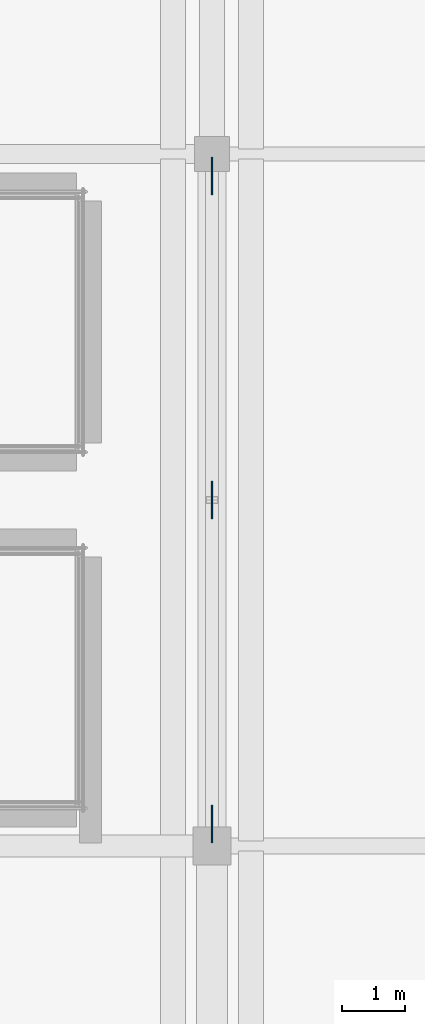
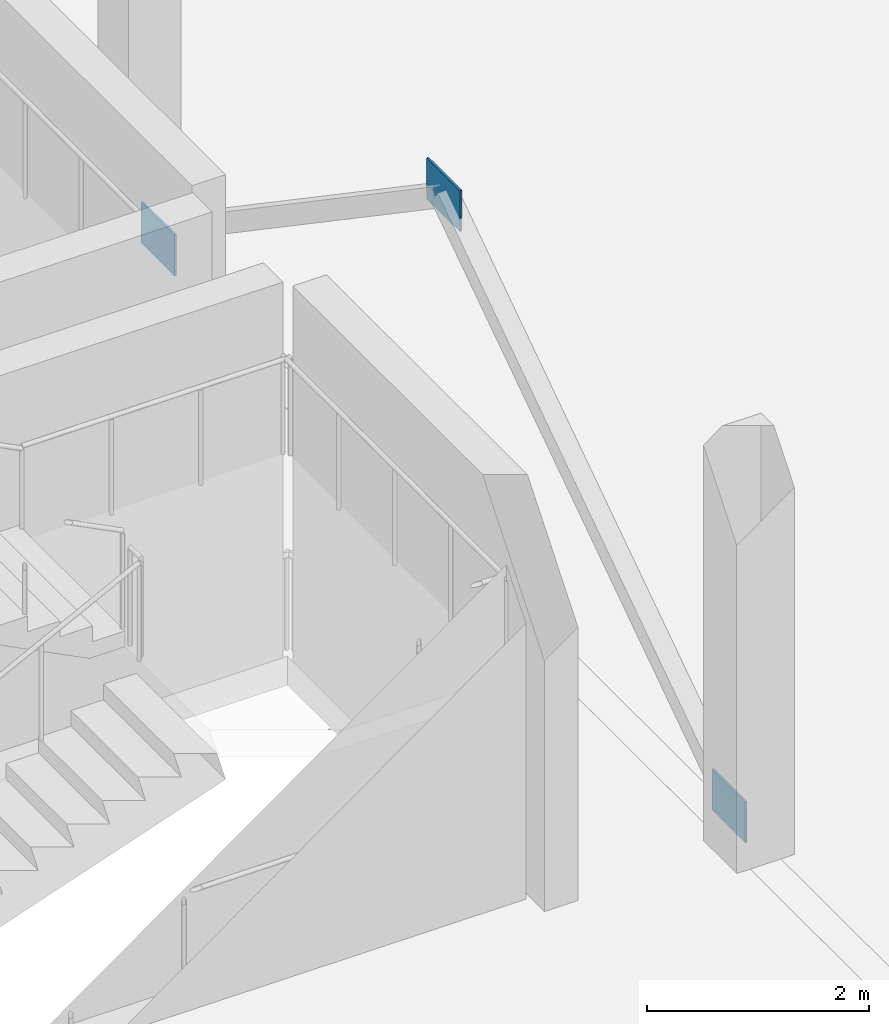
# One storey, part 78 of 118: 3 plates.
"""IFC4 building model written with IfcOpenShell, lengths in metres."""

from ifc_helpers import new_model, si_unit, direction, frame, origin, origin_2d, place, context, subcontext, project, spatial, rectangle, extrude, material, layer, layer_set, type_object, element, save


model = new_model("IFC4")

# Units and contexts
model_context = context("Model", 3, precision=1e-05, world=origin(), true_north=direction((0.0, 1.0)))
body_context = subcontext(model_context, "Body", "Model", "MODEL_VIEW")
ifc_project = project(units=[si_unit("LENGTHUNIT", "METRE"), si_unit("AREAUNIT", "SQUARE_METRE"), si_unit("VOLUMEUNIT", "CUBIC_METRE"), si_unit("PLANEANGLEUNIT", "RADIAN"), si_unit("MASSUNIT", "GRAM", prefix="KILO")], contexts=[model_context])

# Site, building, storey
site_placement = place(None, origin())
site = spatial("IfcSite", under=ifc_project, at=site_placement, CompositionType="ELEMENT")
building_placement = place(site_placement, origin())
building = spatial("IfcBuilding", under=site, at=building_placement, Name="Luwafu Chhajja Arena", CompositionType="ELEMENT")
storey_placement = place(building_placement, frame((0.0, 0.0, 10.199951171875)))
storey = spatial("IfcBuildingStorey", under=building, at=storey_placement, Name="L02", CompositionType="ELEMENT", Elevation=10.199951171875)

# Plates
ifc_material = material(Name="Steel S355", Category="steel")
ifc_layer = layer(ifc_material, 0.02197265625, Name="Steel S355")
ifc_layer_set = layer_set([ifc_layer], Name="Steel S355")
plate_type = type_object("IfcPlateType", Name="Lateral Brace Gusset Plate BN-1", PredefinedType="USERDEFINED", material=ifc_layer_set)
for number, where, z_axis, x_axis, name in (
    (1, (164.0, 82.5, 3.63525390625), (0.0, 0.0, 1.0), (1.0, 0.0, 0.0), "L02 Chevron Apex Gusset Plate BN-1 18"),
    (2, (164.0, 77.35009765625, 0.02490234375), (0.0, 0.0, 1.0), (1.0, 0.0, 0.0), "L02 Brace Base Gusset BN-1 18A"),
    (3, (164.0, 87.64990234375, 0.02490234375), (0.0, 0.0, 1.0), (1.0, 0.0, 0.0), "L02 Brace Base Gusset BN-1 18B"),
):
    element("IfcPlate", number, at=place(storey_placement, frame(where, z_axis=z_axis, x_axis=x_axis)), inside=storey, type_object=plate_type, Name=name, ObjectType="GUSSET PLATE", PredefinedType="USERDEFINED", context=body_context, shape_type="SweptSolid", body=[
        extrude(rectangle(XDim=0.02197265625, YDim=0.60009765625, at=origin_2d()), origin(), (0.0, 0.0, 1.0), 0.449951171875),
    ])

save(model, "model.ifc")
